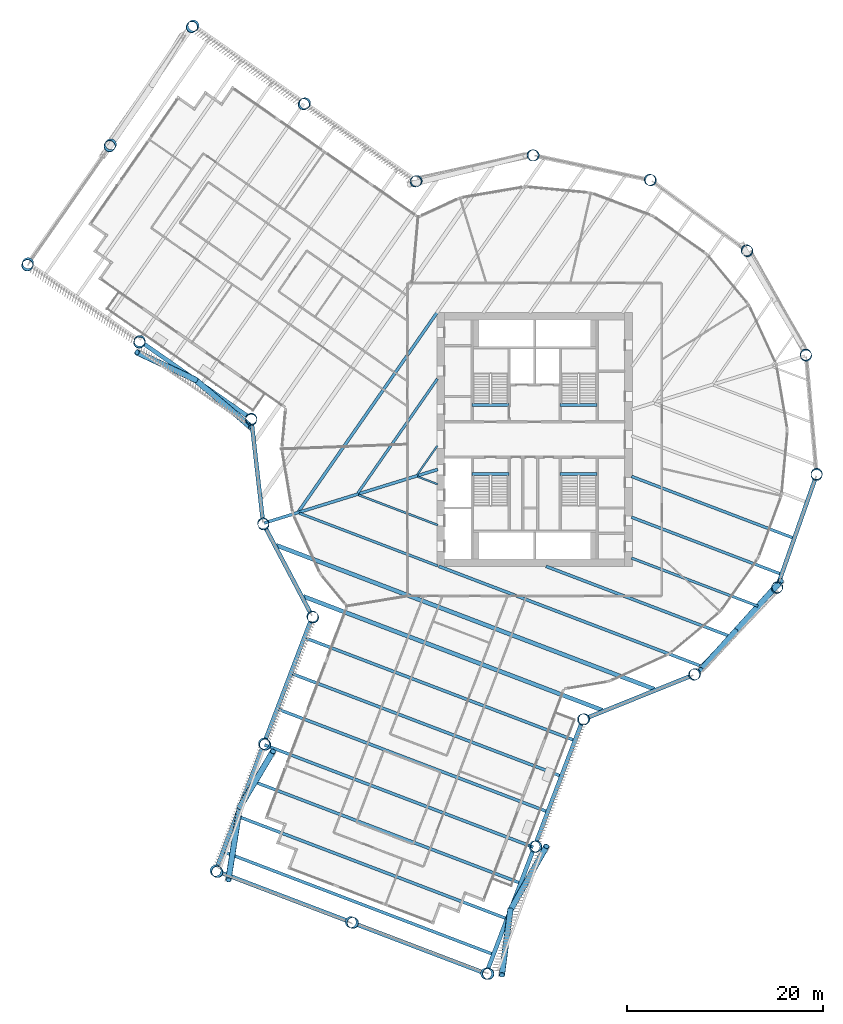
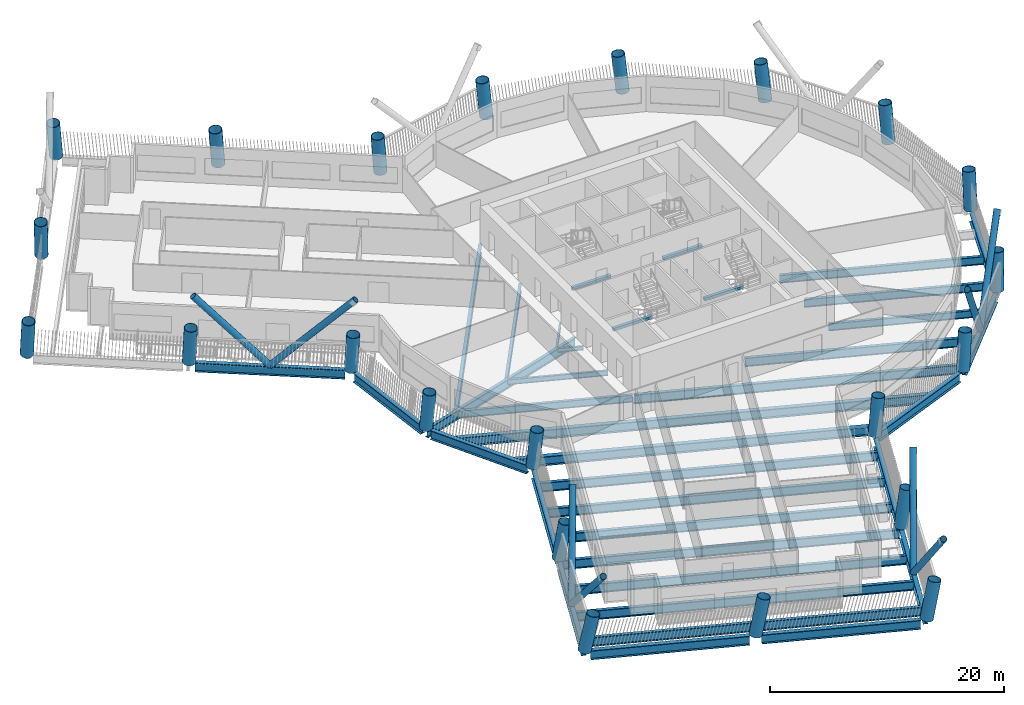
# One storey, part 1 of 23: 37 beams, 22 columns, 8 members.
"""IFC4 building model written with IfcOpenShell, lengths in metres."""

from ifc_helpers import new_model, si_unit, direction, frame, origin, origin_2d, place, context, subcontext, project, spatial, rectangle, hollow_circle, i_section, extrude, material, material_profile, profile_set, type_object, element, save


model = new_model("IFC4")

# Units and contexts
model_context = context("Model", 3, precision=1e-05, world=origin(), true_north=direction((0.0, 1.0)))
body_context = subcontext(model_context, "Body", "Model", "MODEL_VIEW")
ifc_project = project(units=[si_unit("LENGTHUNIT", "METRE"), si_unit("AREAUNIT", "SQUARE_METRE"), si_unit("VOLUMEUNIT", "CUBIC_METRE"), si_unit("PLANEANGLEUNIT", "RADIAN"), si_unit("MASSUNIT", "GRAM", prefix="KILO")], contexts=[model_context])

# Site, building, storey
site_placement = place(None, origin())
site = spatial("IfcSite", under=ifc_project, at=site_placement, CompositionType="ELEMENT")
building_placement = place(site_placement, origin())
building = spatial("IfcBuilding", under=site, at=building_placement, Name="Tarsis Ring Headquarters", CompositionType="ELEMENT")
storey_placement = place(building_placement, frame((0.0, 0.0, 131.800048828125)))
storey = spatial("IfcBuildingStorey", under=building, at=storey_placement, Name="L30", CompositionType="ELEMENT", Elevation=131.800048828125)

# Columns
ifc_material_1 = material(Name="Structural steel S355", Category="steel")
ifc_material_profile_1 = material_profile(ifc_material_1, hollow_circle(Radius=0.584228515625, WallThickness=0.044921875, at=origin_2d()), Name="CHS 1168x45")
ifc_profile_set_1 = profile_set([ifc_material_profile_1], Name="Structural steel S355")
column_type = type_object("IfcColumnType", Name="XC Exo column CHS 1168x45", PredefinedType="COLUMN", material=ifc_profile_set_1)
for number, where, z_axis, x_axis, name in (
    (1, (-27.75537109375, -8.570556640625, 0.000732421875), (0.03038851018, -0.096219882335, 0.994896111507), (0.953573318574, 0.301160963778, 0.0), "Exo column XC3 F1"),
    (2, (-22.72412109375, -18.094970703125, 0.000732421875), (0.063397809312, -0.078498468616, 0.994896330378), (0.777964432469, 0.628308317479, 0.0), "Exo column XC3 AK"),
):
    element("IfcColumn", number, at=place(storey_placement, frame(where, z_axis=z_axis, x_axis=x_axis)), inside=storey, type_object=column_type, Name=name, PredefinedType="COLUMN", context=body_context, shape_type="SweptSolid", body=[
        extrude(hollow_circle(Radius=0.584228515625, WallThickness=0.044921875, at=origin_2d()), origin(), (0.0, 0.0, 1.0), 3.91259765625),
    ])
column_1_placement = place(storey_placement, frame((-27.669921875, -31.087890625, 0.0009765625), z_axis=(0.10807248747, -0.094842924349, 0.989608587853), x_axis=(0.659604831056, 0.751612577627, 0.0)))
element("IfcColumn", 3, at=column_1_placement, inside=storey, type_object=column_type, Name="Exo column XC3 AI1", PredefinedType="COLUMN", context=body_context, shape_type="SweptSolid", body=[
    extrude(hollow_circle(Radius=0.584228515625, WallThickness=0.044921875, at=origin_2d()), origin(), (0.0, 0.0, 1.0), 3.9306640625),
])
column_2_placement = place(storey_placement, frame((-32.61572265625, -44.08056640625, 0.001220703125), z_axis=(0.151881207499, -0.110795551856, 0.982169254506), x_axis=(0.589341747673, 0.807883843414, 0.0)))
element("IfcColumn", 4, at=column_2_placement, inside=storey, type_object=column_type, Name="Exo column XC3 AT1", PredefinedType="COLUMN", context=body_context, shape_type="SweptSolid", body=[
    extrude(hollow_circle(Radius=0.584228515625, WallThickness=0.044921875, at=origin_2d()), origin(), (0.0, 0.0, 1.0), 3.95751953125),
])
column_3_placement = place(storey_placement, frame((-18.783935546875, -49.345703125, 0.001220703125), z_axis=(0.169844652412, -0.063367495773, 0.983431418314), x_axis=(0.349554810941, 0.936915916264, 0.0)))
element("IfcColumn", 5, at=column_3_placement, inside=storey, type_object=column_type, Name="Exo column XC3 AT2", PredefinedType="COLUMN", context=body_context, shape_type="SweptSolid", body=[
    extrude(hollow_circle(Radius=0.584228515625, WallThickness=0.044921875, at=origin_2d()), origin(), (0.0, 0.0, 1.0), 3.952880859375),
])
column_4_placement = place(storey_placement, frame((-4.9521484375, -54.61083984375, 0.001220703125), z_axis=(0.187352581769, -0.015730954347, 0.98216676139), x_axis=(0.083670018653, 0.996493516275, 0.0)))
element("IfcColumn", 6, at=column_4_placement, inside=storey, type_object=column_type, Name="Exo column XC3 AT3", PredefinedType="COLUMN", context=body_context, shape_type="SweptSolid", body=[
    extrude(hollow_circle(Radius=0.584228515625, WallThickness=0.044921875, at=origin_2d()), origin(), (0.0, 0.0, 1.0), 3.95751953125),
])
column_5_placement = place(storey_placement, frame((-0.00634765625, -41.6181640625, 0.0009765625), z_axis=(0.143786063277, 0.000931659157, 0.989608356886), x_axis=(-0.00647934563, 0.99997900882, 0.0)))
element("IfcColumn", 7, at=column_5_placement, inside=storey, type_object=column_type, Name="Exo column XC3 AO1", PredefinedType="COLUMN", context=body_context, shape_type="SweptSolid", body=[
    extrude(hollow_circle(Radius=0.584228515625, WallThickness=0.044921875, at=origin_2d()), origin(), (0.0, 0.0, 1.0), 3.9306640625),
])
for number, where, z_axis, x_axis, name in (
    (8, (4.939453125, -28.62548828125, 0.000732421875), (0.099277811899, 0.017846294282, 0.994899706425), (-0.176925295427, 0.9842242833, 0.0), "Exo column XC3 AJ"),
    (9, (16.299560546875, -24.044677734375, 0.000732421875), (0.083116274788, 0.057158038818, 0.994899313229), (-0.566633831912, 0.823969720641, 0.0), "Exo column XC3 R1"),
    (10, (24.761474609375, -15.1884765625, 0.000732421875), (0.052103731518, 0.086361154996, 0.994900473449), (-0.856234842803, 0.516586772934, 0.0), "Exo column XC3 R2"),
    (11, (28.820556640625, -3.6318359375, 0.000732421875), (0.011918342647, 0.100151518058, 0.994900812413), (-0.992993460669, 0.118169315257, 0.0), "Exo column XC3 R3"),
    (12, (27.75537109375, 8.570556640625, 0.000732421875), (-0.03038851018, 0.096219882335, 0.994896111507), (-0.953573318574, -0.301160963778, 0.0), "Exo column XC3 R4"),
    (13, (21.755126953125, 19.2490234375, 0.000732421875), (-0.067329098914, 0.075129040864, 0.994898195625), (-0.744707237786, -0.667391287019, 0.0), "Exo column XC3 R5"),
    (14, (11.88671875, 26.505126953125, 0.000732421875), (-0.092289383002, 0.040622304486, 0.994903260706), (-0.402863041625, -0.91526027429, 0.0), "Exo column XC3 R6"),
    (15, (-0.09521484375, 29.04833984375, 0.000732421875), (-0.100838070632, -0.000998396739, 0.994902350342), (0.00990050484, -0.999950988801, 0.0), "Exo column XC3 R7"),
    (16, (-12.06005859375, 26.4267578125, 0.000732421875), (-0.0914778866, -0.04249416151, 0.994900016334), (0.421293059677, -0.906924560186, 0.0), "Exo column XC3 BJ"),
):
    element("IfcColumn", number, at=place(storey_placement, frame(where, z_axis=z_axis, x_axis=x_axis)), inside=storey, type_object=column_type, Name=name, PredefinedType="COLUMN", context=body_context, shape_type="SweptSolid", body=[
        extrude(hollow_circle(Radius=0.584228515625, WallThickness=0.044921875, at=origin_2d()), origin(), (0.0, 0.0, 1.0), 3.91259765625),
    ])
column_6_placement = place(storey_placement, frame((-23.470458984375, 34.368896484375, 0.0009765625), z_axis=(-0.118134856248, -0.081924224706, 0.989612336799), x_axis=(0.569861317078, -0.821740883307, 0.0)))
element("IfcColumn", 17, at=column_6_placement, inside=storey, type_object=column_type, Name="Exo column XC3 BO1", PredefinedType="COLUMN", context=body_context, shape_type="SweptSolid", body=[
    extrude(hollow_circle(Radius=0.584228515625, WallThickness=0.044921875, at=origin_2d()), origin(), (0.0, 0.0, 1.0), 3.9306640625),
])
column_7_placement = place(storey_placement, frame((-34.880859375, 42.310791015625, 0.001220703125), z_axis=(-0.144232366987, -0.120543218603, 0.982174300602), x_axis=(0.641281296388, -0.767305870499, 0.0)))
element("IfcColumn", 18, at=column_7_placement, inside=storey, type_object=column_type, Name="Exo column XC3 BT3", PredefinedType="COLUMN", context=body_context, shape_type="SweptSolid", body=[
    extrude(hollow_circle(Radius=0.584228515625, WallThickness=0.044921875, at=origin_2d()), origin(), (0.0, 0.0, 1.0), 3.95751953125),
])
column_8_placement = place(storey_placement, frame((-43.335693359375, 30.163818359375, 0.001220703125), z_axis=(-0.102525029406, -0.149464199496, 0.983437375441), x_axis=(0.824638022463, -0.565660792268, 0.0)))
element("IfcColumn", 19, at=column_8_placement, inside=storey, type_object=column_type, Name="Exo column XC3 BT2", PredefinedType="COLUMN", context=body_context, shape_type="SweptSolid", body=[
    extrude(hollow_circle(Radius=0.584228515625, WallThickness=0.044921875, at=origin_2d()), origin(), (0.0, 0.0, 1.0), 3.952880859375),
])
column_9_placement = place(storey_placement, frame((-51.790771484375, 18.0166015625, 0.001220703125), z_axis=(-0.060579694145, -0.177975985344, 0.982168340611), x_axis=(0.946662684508, -0.322226258644, 0.0)))
element("IfcColumn", 20, at=column_9_placement, inside=storey, type_object=column_type, Name="Exo column XC3 BT1", PredefinedType="COLUMN", context=body_context, shape_type="SweptSolid", body=[
    extrude(hollow_circle(Radius=0.584228515625, WallThickness=0.044921875, at=origin_2d()), origin(), (0.0, 0.0, 1.0), 3.95751953125),
])
column_10_placement = place(storey_placement, frame((-40.38037109375, 10.074462890625, 0.0009765625), z_axis=(-0.033850571573, -0.139687954988, 0.989616801613), x_axis=(0.971871090164, -0.235513447817, 0.0)))
element("IfcColumn", 21, at=column_10_placement, inside=storey, type_object=column_type, Name="Exo column XC3 BI1", PredefinedType="COLUMN", context=body_context, shape_type="SweptSolid", body=[
    extrude(hollow_circle(Radius=0.584228515625, WallThickness=0.044921875, at=origin_2d()), origin(), (0.0, 0.0, 1.0), 3.9306640625),
])
column_11_placement = place(storey_placement, frame((-28.97021484375, 2.13232421875, 0.000732421875), z_axis=(-0.006676758615, -0.100650576138, 0.994899433319), x_axis=(0.997807001253, -0.06619054503, 0.0)))
element("IfcColumn", 22, at=column_11_placement, inside=storey, type_object=column_type, Name="Exo column XC3 BK", PredefinedType="COLUMN", context=body_context, shape_type="SweptSolid", body=[
    extrude(hollow_circle(Radius=0.584228515625, WallThickness=0.044921875, at=origin_2d()), origin(), (0.0, 0.0, 1.0), 3.91259765625),
])

# Beams
ifc_material_profile_2 = material_profile(ifc_material_1, i_section(OverallWidth=0.177734375, OverallDepth=0.406494140625, WebThickness=0.0078125, FlangeThickness=0.0126953125, at=origin_2d()), Name="W16x40")
ifc_profile_set_2 = profile_set([ifc_material_profile_2], Name="Structural steel S355")
beam_type_1 = type_object("IfcBeamType", Name="FB Floor beam W16x40", PredefinedType="JOIST", material=ifc_profile_set_2)
beam_1_placement = place(storey_placement, frame((-11.963623046875, -3.7919921875, -0.36328125), z_axis=(0.934594876678, -0.355713953181, 0.0), x_axis=(0.355713953181, 0.934594876678, 0.0)))
element("IfcBeam", 23, at=beam_1_placement, inside=storey, type_object=beam_type_1, Name="Floor beam FB1", PredefinedType="JOIST", context=body_context, shape_type="SweptSolid", body=[
    extrude(i_section(OverallWidth=0.177734375, OverallDepth=0.406494140625, WebThickness=0.0078125, FlangeThickness=0.0126953125, at=origin_2d()), origin(), (0.0, 0.0, 1.0), 2.201171875),
])
beam_2_placement = place(storey_placement, frame((-9.94287109375, -0.63134765625, -0.36328125), z_axis=(-0.571273152596, -0.820760004583, 0.0), x_axis=(0.820760004583, -0.571273152596, 0.0)))
element("IfcBeam", 24, at=beam_2_placement, inside=storey, type_object=beam_type_1, Name="Floor beam FB1", PredefinedType="JOIST", context=body_context, shape_type="SweptSolid", body=[
    extrude(i_section(OverallWidth=0.177734375, OverallDepth=0.406494140625, WebThickness=0.0078125, FlangeThickness=0.0126953125, at=origin_2d()), origin(), (0.0, 0.0, 1.0), 3.633544921875),
])
ifc_material_profile_3 = material_profile(ifc_material_1, i_section(OverallWidth=0.209228515625, OverallDepth=0.533447265625, WebThickness=0.01025390625, FlangeThickness=0.015625, at=origin_2d()), Name="W21x62")
ifc_profile_set_3 = profile_set([ifc_material_profile_3], Name="Structural steel S355")
beam_type_2 = type_object("IfcBeamType", Name="FB Floor beam W21x62", PredefinedType="JOIST", material=ifc_profile_set_3)
beam_3_placement = place(storey_placement, frame((-18.01611328125, -5.660888671875, -0.4267578125), z_axis=(0.93457283862, -0.355771850087, 0.0), x_axis=(0.355771850087, 0.93457283862, 0.0)))
element("IfcBeam", 25, at=beam_3_placement, inside=storey, type_object=beam_type_2, Name="Floor beam FB3", PredefinedType="JOIST", context=body_context, shape_type="SweptSolid", body=[
    extrude(i_section(OverallWidth=0.209228515625, OverallDepth=0.533447265625, WebThickness=0.01025390625, FlangeThickness=0.015625, at=origin_2d()), origin(), (0.0, 0.0, 1.0), 8.67724609375),
])
ifc_material_profile_4 = material_profile(ifc_material_1, i_section(OverallWidth=0.2666015625, OverallDepth=0.7568359375, WebThickness=0.013916015625, FlangeThickness=0.019287109375, at=origin_2d()), Name="W30x108")
ifc_profile_set_4 = profile_set([ifc_material_profile_4], Name="Structural steel S355")
beam_type_3 = type_object("IfcBeamType", Name="FB Floor beam W30x108", PredefinedType="JOIST", material=ifc_profile_set_4)
beam_4_placement = place(storey_placement, frame((9.906494140625, -12.1171875, -0.53857421875), z_axis=(0.9345836358, -0.355743485808, 0.0), x_axis=(0.355743485808, 0.9345836358, 0.0)))
element("IfcBeam", 26, at=beam_4_placement, inside=storey, type_object=beam_type_3, Name="Floor beam FB6", PredefinedType="JOIST", context=body_context, shape_type="SweptSolid", body=[
    extrude(i_section(OverallWidth=0.2666015625, OverallDepth=0.7568359375, WebThickness=0.013916015625, FlangeThickness=0.019287109375, at=origin_2d()), origin(), (0.0, 0.0, 1.0), 13.827880859375),
])
beam_5_placement = place(storey_placement, frame((-24.06884765625, -7.52978515625, -0.53857421875), z_axis=(0.934577033257, -0.35576083105, 0.0), x_axis=(0.35576083105, 0.934577033257, 0.0)))
element("IfcBeam", 27, at=beam_5_placement, inside=storey, type_object=beam_type_3, Name="Floor beam FB6", PredefinedType="JOIST", context=body_context, shape_type="SweptSolid", body=[
    extrude(i_section(OverallWidth=0.2666015625, OverallDepth=0.7568359375, WebThickness=0.013916015625, FlangeThickness=0.019287109375, at=origin_2d()), origin(), (0.0, 0.0, 1.0), 15.15380859375),
])
beam_6_placement = place(storey_placement, frame((-9.94287109375, 6.195556640625, -0.53857421875), z_axis=(-0.571282657088, -0.820753389094, 0.0), x_axis=(0.820753389094, -0.571282657088, 0.0)))
element("IfcBeam", 28, at=beam_6_placement, inside=storey, type_object=beam_type_3, Name="Floor beam FB6", PredefinedType="JOIST", context=body_context, shape_type="SweptSolid", body=[
    extrude(i_section(OverallWidth=0.2666015625, OverallDepth=0.7568359375, WebThickness=0.013916015625, FlangeThickness=0.019287109375, at=origin_2d()), origin(), (0.0, 0.0, 1.0), 14.228271484375),
])
ifc_material_profile_5 = material_profile(ifc_material_1, i_section(OverallWidth=0.2919921875, OverallDepth=0.835693359375, WebThickness=0.013916015625, FlangeThickness=0.018798828125, at=origin_2d()), Name="W33x118")
ifc_profile_set_5 = profile_set([ifc_material_profile_5], Name="Structural steel S355")
beam_type_4 = type_object("IfcBeamType", Name="FB Floor beam W33x118", PredefinedType="JOIST", material=ifc_profile_set_5)
beam_7_placement = place(storey_placement, frame((9.906494140625, -3.77099609375, -0.577880859375), z_axis=(0.934577329051, -0.355760054003, 0.0), x_axis=(0.355760054003, 0.934577329051, 0.0)))
element("IfcBeam", 29, at=beam_7_placement, inside=storey, type_object=beam_type_4, Name="Floor beam FB7", PredefinedType="JOIST", context=body_context, shape_type="SweptSolid", body=[
    extrude(i_section(OverallWidth=0.2919921875, OverallDepth=0.835693359375, WebThickness=0.013916015625, FlangeThickness=0.018798828125, at=origin_2d()), origin(), (0.0, 0.0, 1.0), 17.69287109375),
])
beam_8_placement = place(storey_placement, frame((9.906494140625, -7.944091796875, -0.577880859375), z_axis=(0.93457923771, -0.355755039937, 0.0), x_axis=(0.355755039937, 0.93457923771, 0.0)))
element("IfcBeam", 30, at=beam_8_placement, inside=storey, type_object=beam_type_4, Name="Floor beam FB7", PredefinedType="JOIST", context=body_context, shape_type="SweptSolid", body=[
    extrude(i_section(OverallWidth=0.2919921875, OverallDepth=0.835693359375, WebThickness=0.013916015625, FlangeThickness=0.018798828125, at=origin_2d()), origin(), (0.0, 0.0, 1.0), 16.3095703125),
])
ifc_material_profile_6 = material_profile(ifc_material_1, i_section(OverallWidth=0.3046875, OverallDepth=0.904296875, WebThickness=0.01513671875, FlangeThickness=0.02001953125, at=origin_2d()), Name="W36x135")
ifc_profile_set_6 = profile_set([ifc_material_profile_6], Name="Structural steel S355")
beam_type_5 = type_object("IfcBeamType", Name="FB Floor beam W36x135", PredefinedType="JOIST", material=ifc_profile_set_6)
beam_9_placement = place(storey_placement, frame((1.170166015625, -12.96435546875, -0.612060546875), z_axis=(0.934577028161, -0.355760844436, 0.0), x_axis=(0.355760844436, 0.934577028161, 0.0)))
element("IfcBeam", 31, at=beam_9_placement, inside=storey, type_object=beam_type_5, Name="Floor beam FB8", PredefinedType="JOIST", context=body_context, shape_type="SweptSolid", body=[
    extrude(i_section(OverallWidth=0.3046875, OverallDepth=0.904296875, WebThickness=0.01513671875, FlangeThickness=0.02001953125, at=origin_2d()), origin(), (0.0, 0.0, 1.0), 20.04736328125),
])
ifc_material_profile_7 = material_profile(ifc_material_1, i_section(OverallWidth=0.309814453125, OverallDepth=0.93212890625, WebThickness=0.02099609375, FlangeThickness=0.034423828125, at=origin_2d()), Name="W36x210")
ifc_profile_set_7 = profile_set([ifc_material_profile_7], Name="Structural steel S355")
beam_type_6 = type_object("IfcBeamType", Name="FB Floor beam W36x210", PredefinedType="JOIST", material=ifc_profile_set_7)
beam_10_placement = place(storey_placement, frame((-9.94287109375, 13.022216796875, -0.626220703125), z_axis=(-0.57128865983, -0.820749210874, 0.0), x_axis=(0.820749210874, -0.57128865983, 0.0)))
element("IfcBeam", 32, at=beam_10_placement, inside=storey, type_object=beam_type_6, Name="Floor beam FB10", PredefinedType="JOIST", context=body_context, shape_type="SweptSolid", body=[
    extrude(i_section(OverallWidth=0.309814453125, OverallDepth=0.93212890625, WebThickness=0.02099609375, FlangeThickness=0.034423828125, at=origin_2d()), origin(), (0.0, 0.0, 1.0), 24.822998046875),
])
ifc_material_profile_8 = material_profile(ifc_material_1, i_section(OverallWidth=0.309814453125, OverallDepth=0.949951171875, WebThickness=0.0244140625, FlangeThickness=0.0439453125, at=origin_2d()), Name="W36x256")
ifc_profile_set_8 = profile_set([ifc_material_profile_8], Name="Structural steel S355")
beam_type_7 = type_object("IfcBeamType", Name="FB Floor beam W36x256", PredefinedType="JOIST", material=ifc_profile_set_8)
beam_11_placement = place(storey_placement, frame((-9.79248046875, -12.96435546875, -0.635009765625), z_axis=(0.934577479444, -0.355759658922, 0.0), x_axis=(0.355759658922, 0.934577479444, 0.0)))
element("IfcBeam", 33, at=beam_11_placement, inside=storey, type_object=beam_type_7, Name="Floor beam FB11", PredefinedType="JOIST", context=body_context, shape_type="SweptSolid", body=[
    extrude(i_section(OverallWidth=0.309814453125, OverallDepth=0.949951171875, WebThickness=0.0244140625, FlangeThickness=0.0439453125, at=origin_2d()), origin(), (0.0, 0.0, 1.0), 28.64892578125),
])
for number, where, z_axis, x_axis, name in (
    (34, (-23.439208984375, -20.28857421875, -0.635009765625), (0.934577496653, -0.355759613714, 0.0), (0.355759613714, 0.934577496653, 0.0), "Floor beam FB11"),
    (35, (-24.82666015625, -23.933349609375, -0.635009765625), (0.934574733359, -0.355766872779, 0.0), (0.355766872779, 0.934574733359, 0.0), "Floor beam FB11"),
    (36, (-26.214111328125, -27.578369140625, -0.635009765625), (0.934577496653, -0.355759613714, 0.0), (0.355759613714, 0.934577496653, 0.0), "Floor beam FB11"),
    (37, (-27.6015625, -31.22314453125, -0.635009765625), (0.934577496653, -0.355759613714, 0.0), (0.355759613714, 0.934577496653, 0.0), "Floor beam FB11"),
    (38, (-28.989013671875, -34.867919921875, -0.635009765625), (0.934574733359, -0.355766872779, 0.0), (0.355766872779, 0.934574733359, 0.0), "Floor beam FB11"),
    (39, (-30.37646484375, -38.512939453125, -0.635009765625), (0.934577496653, -0.355759613714, 0.0), (0.355759613714, 0.934577496653, 0.0), "Floor beam FB11"),
    (40, (-31.763916015625, -42.15771484375, -0.635009765625), (0.934577496653, -0.355759613714, 0.0), (0.355759613714, 0.934577496653, 0.0), "Floor beam FB11"),
):
    element("IfcBeam", number, at=place(storey_placement, frame(where, z_axis=z_axis, x_axis=x_axis)), inside=storey, type_object=beam_type_7, Name=name, PredefinedType="JOIST", context=body_context, shape_type="SweptSolid", body=[
        extrude(i_section(OverallWidth=0.309814453125, OverallDepth=0.949951171875, WebThickness=0.0244140625, FlangeThickness=0.0439453125, at=origin_2d()), origin(), (0.0, 0.0, 1.0), 29.375732421875),
    ])
beam_type_8 = type_object("IfcBeamType", Name="FB Floor beam W36x256 spine", PredefinedType="BEAM", material=ifc_profile_set_8)
beam_12_placement = place(storey_placement, frame((-9.904541015625, -3.058349609375, -0.635009765625), z_axis=(-0.95548341372, -0.295044820503, 0.0), x_axis=(0.295044820503, -0.95548341372, 0.0)))
element("IfcBeam", 41, at=beam_12_placement, inside=storey, type_object=beam_type_8, Name="Floor beam SB11", PredefinedType="BEAM", context=body_context, shape_type="SweptSolid", body=[
    extrude(i_section(OverallWidth=0.309814453125, OverallDepth=0.949951171875, WebThickness=0.0244140625, FlangeThickness=0.0439453125, at=origin_2d()), origin(), (0.0, 0.0, 1.0), 18.566650390625),
])
ifc_material_profile_9 = material_profile(ifc_material_1, i_section(OverallWidth=0.42431640625, OverallDepth=0.947509765625, WebThickness=0.02392578125, FlangeThickness=0.042724609375, at=origin_2d()), Name="W36x302")
ifc_profile_set_9 = profile_set([ifc_material_profile_9], Name="Structural steel S355")
beam_type_9 = type_object("IfcBeamType", Name="FB Floor beam W36x302", PredefinedType="JOIST", material=ifc_profile_set_9)
beam_13_placement = place(storey_placement, frame((-26.4052734375, -10.8134765625, -0.6337890625), z_axis=(0.934577583776, -0.355759384844, 0.0), x_axis=(0.355759384844, 0.934577583776, 0.0)))
element("IfcBeam", 42, at=beam_13_placement, inside=storey, type_object=beam_type_9, Name="Floor beam FB12", PredefinedType="JOIST", context=body_context, shape_type="SweptSolid", body=[
    extrude(i_section(OverallWidth=0.42431640625, OverallDepth=0.947509765625, WebThickness=0.02392578125, FlangeThickness=0.042724609375, at=origin_2d()), origin(), (0.0, 0.0, 1.0), 41.352783203125),
])
beam_14_placement = place(storey_placement, frame((-23.646240234375, -16.036865234375, -0.6337890625), z_axis=(0.934577935064, -0.35575846201, 0.0), x_axis=(0.35575846201, 0.934577935064, 0.0)))
element("IfcBeam", 43, at=beam_14_placement, inside=storey, type_object=beam_type_9, Name="Floor beam FB12", PredefinedType="JOIST", context=body_context, shape_type="SweptSolid", body=[
    extrude(i_section(OverallWidth=0.42431640625, OverallDepth=0.947509765625, WebThickness=0.02392578125, FlangeThickness=0.042724609375, at=origin_2d()), origin(), (0.0, 0.0, 1.0), 32.704833984375),
])
ifc_material_2 = material(Name="Concrete C40/50", Category="concrete")
ifc_material_profile_10 = material_profile(ifc_material_2, rectangle(XDim=0.300048828125, YDim=0.300048828125, at=origin_2d()), Name="Stair head beam 300x300 C40/50")
ifc_profile_set_10 = profile_set([ifc_material_profile_10], Name="Concrete C40/50")
beam_type_10 = type_object("IfcBeamType", Name="Stair head beam 300x300 C40/50", PredefinedType="BEAM", material=ifc_profile_set_10)
for number, where, z_axis, x_axis, name in (
    (44, (-6.39990234375, 3.510009765625, -0.31005859375), (1.0, 0.0, 0.0), (0.0, 1.0, 0.0), "Stair head beam L30 Firefighting stair"),
    (45, (2.60009765625, 3.510009765625, -0.31005859375), (1.0, 0.0, 0.0), (0.0, 1.0, 0.0), "Stair head beam L30 Exit stair B"),
    (46, (-6.39990234375, -3.510009765625, -0.31005859375), (1.0, 0.0, 0.0), (0.0, 1.0, 0.0), "Stair head beam L30 Exit stair C"),
    (47, (2.60009765625, -3.510009765625, -0.31005859375), (1.0, 0.0, 0.0), (0.0, 1.0, 0.0), "Stair head beam L30 Exit stair D"),
):
    element("IfcBeam", number, at=place(storey_placement, frame(where, z_axis=z_axis, x_axis=x_axis)), inside=storey, type_object=beam_type_10, Name=name, PredefinedType="BEAM", context=body_context, shape_type="SweptSolid", body=[
        extrude(rectangle(XDim=0.300048828125, YDim=0.300048828125, at=origin_2d()), origin(), (0.0, 0.0, 1.0), 3.7998046875),
    ])

# Members
ifc_material_profile_11 = material_profile(ifc_material_1, hollow_circle(Radius=0.3046875, WallThickness=0.02490234375, at=origin_2d()), Name="CHS 610x25")
ifc_profile_set_11 = profile_set([ifc_material_profile_11], Name="Structural steel S355")
member_type = type_object("IfcMemberType", Name="XD X brace CHS 610x25", PredefinedType="BRACE", material=ifc_profile_set_11)
member_1_placement = place(storey_placement, frame((-30.142822265625, -37.583984375, 0.0), z_axis=(-0.107652637347, -0.685899802172, 0.719689079431), x_axis=(0.987906179649, -0.15505283039, 0.0)))
element("IfcMember", 48, at=member_1_placement, inside=storey, type_object=member_type, Name="X brace XD1", PredefinedType="BRACE", context=body_context, shape_type="SweptSolid", body=[
    extrude(hollow_circle(Radius=0.3046875, WallThickness=0.02490234375, at=origin_2d()), origin(), (0.0, 0.0, 1.0), 10.838134765625),
])
member_2_placement = place(storey_placement, frame((-30.142822265625, -37.583984375, 0.0), z_axis=(0.331679338589, 0.556518398534, 0.761758549966), x_axis=(-0.859008914741, 0.511960627778, 0.0)))
element("IfcMember", 49, at=member_2_placement, inside=storey, type_object=member_type, Name="X brace XD1", PredefinedType="BRACE", context=body_context, shape_type="SweptSolid", body=[
    extrude(hollow_circle(Radius=0.3046875, WallThickness=0.02490234375, at=origin_2d()), origin(), (0.0, 0.0, 1.0), 10.239501953125),
])
member_3_placement = place(storey_placement, frame((-2.4794921875, -48.114501953125, 0.0), z_axis=(0.341558610942, 0.602441019273, 0.721389307925), x_axis=(-0.86991354794, 0.493204236711, 0.0)))
element("IfcMember", 50, at=member_3_placement, inside=storey, type_object=member_type, Name="X brace XD1", PredefinedType="BRACE", context=body_context, shape_type="SweptSolid", body=[
    extrude(hollow_circle(Radius=0.3046875, WallThickness=0.02490234375, at=origin_2d()), origin(), (0.0, 0.0, 1.0), 10.8125),
])
member_4_placement = place(storey_placement, frame((-2.4794921875, -48.114501953125, 0.0), z_axis=(-0.084707060728, -0.644648793437, 0.759771443911), x_axis=(0.991477186366, -0.130280424149, 0.0)))
element("IfcMember", 51, at=member_4_placement, inside=storey, type_object=member_type, Name="X brace XD1", PredefinedType="BRACE", context=body_context, shape_type="SweptSolid", body=[
    extrude(hollow_circle(Radius=0.3046875, WallThickness=0.02490234375, at=origin_2d()), origin(), (0.0, 0.0, 1.0), 10.266357421875),
])
member_5_placement = place(storey_placement, frame((20.5302734375, -19.61669921875, 0.0), z_axis=(0.446403688196, 0.493751303494, 0.746279704577), x_axis=(-0.741777656653, 0.670645888745, 0.0)))
element("IfcMember", 52, at=member_5_placement, inside=storey, type_object=member_type, Name="X brace XD1", PredefinedType="BRACE", context=body_context, shape_type="SweptSolid", body=[
    extrude(hollow_circle(Radius=0.3046875, WallThickness=0.02490234375, at=origin_2d()), origin(), (0.0, 0.0, 1.0), 10.451904296875),
])
member_6_placement = place(storey_placement, frame((20.5302734375, -19.61669921875, 0.0), z_axis=(-0.374822016389, -0.417974077705, 0.827530136246), x_axis=(0.744492735413, -0.667630561701, 0.0)))
element("IfcMember", 53, at=member_6_placement, inside=storey, type_object=member_type, Name="X brace XD1", PredefinedType="BRACE", context=body_context, shape_type="SweptSolid", body=[
    extrude(hollow_circle(Radius=0.3046875, WallThickness=0.02490234375, at=origin_2d()), origin(), (0.0, 0.0, 1.0), 9.42578125),
])
member_7_placement = place(storey_placement, frame((-34.67529296875, 6.103515625, 0.0), z_axis=(0.524909365793, -0.447520189771, 0.724013699767), x_axis=(0.648781585381, 0.760974674001, 0.0)))
element("IfcMember", 54, at=member_7_placement, inside=storey, type_object=member_type, Name="X brace XD1", PredefinedType="BRACE", context=body_context, shape_type="SweptSolid", body=[
    extrude(hollow_circle(Radius=0.3046875, WallThickness=0.02490234375, at=origin_2d()), origin(), (0.0, 0.0, 1.0), 10.7734375),
])
member_8_placement = place(storey_placement, frame((-34.67529296875, 6.103515625, 0.0), z_axis=(-0.592563171181, 0.278804845003, 0.755735897363), x_axis=(-0.425736512864, -0.90484718136, 0.0)))
element("IfcMember", 55, at=member_8_placement, inside=storey, type_object=member_type, Name="X brace XD1", PredefinedType="BRACE", context=body_context, shape_type="SweptSolid", body=[
    extrude(hollow_circle(Radius=0.3046875, WallThickness=0.02490234375, at=origin_2d()), origin(), (0.0, 0.0, 1.0), 10.0859375),
])

# Beams
beam_type_11 = type_object("IfcBeamType", Name="XG Ring girder W36x302", PredefinedType="BEAM", material=ifc_profile_set_9)
beam_15_placement = place(storey_placement, frame((-27.509765625, -9.035400390625, -0.4736328125), z_axis=(0.467075090718, -0.884217653992, 0.0), x_axis=(0.884217653992, 0.467075090718, 0.0)))
element("IfcBeam", 56, at=beam_15_placement, inside=storey, type_object=beam_type_11, Name="Ring girder XG1", PredefinedType="BEAM", context=body_context, shape_type="SweptSolid", body=[
    extrude(i_section(OverallWidth=0.42431640625, OverallDepth=0.947509765625, WebThickness=0.02392578125, FlangeThickness=0.042724609375, at=origin_2d()), origin(), (0.0, 0.0, 1.0), 9.72021484375),
])
for number, where, z_axis, x_axis, name in (
    (57, (-22.9111328125, -18.58642578125, -0.4736328125), (-0.355759889363, -0.934577391724, 0.0), (0.934577391724, -0.355759889363, 0.0), "Ring girder XG1"),
    (58, (-27.85693359375, -31.5791015625, -0.4736328125), (-0.355759889363, -0.934577391724, 0.0), (0.934577391724, -0.355759889363, 0.0), "Ring girder XG1"),
):
    element("IfcBeam", number, at=place(storey_placement, frame(where, z_axis=z_axis, x_axis=x_axis)), inside=storey, type_object=beam_type_11, Name=name, PredefinedType="BEAM", context=body_context, shape_type="SweptSolid", body=[
        extrude(i_section(OverallWidth=0.42431640625, OverallDepth=0.947509765625, WebThickness=0.02392578125, FlangeThickness=0.042724609375, at=origin_2d()), origin(), (0.0, 0.0, 1.0), 12.850830078125),
    ])
beam_16_placement = place(storey_placement, frame((-32.12451171875, -44.267578125, -0.4736328125), z_axis=(0.934579410196, -0.355754586811, 0.0), x_axis=(0.355754586811, 0.934579410196, 0.0)))
element("IfcBeam", 59, at=beam_16_placement, inside=storey, type_object=beam_type_11, Name="Ring girder XG1", PredefinedType="BEAM", context=body_context, shape_type="SweptSolid", body=[
    extrude(i_section(OverallWidth=0.42431640625, OverallDepth=0.947509765625, WebThickness=0.02392578125, FlangeThickness=0.042724609375, at=origin_2d()), origin(), (0.0, 0.0, 1.0), 13.74853515625),
])
beam_17_placement = place(storey_placement, frame((-18.292724609375, -49.53271484375, -0.4736328125), z_axis=(0.934577162722, -0.355760490946, 0.0), x_axis=(0.355760490946, 0.934577162722, 0.0)))
element("IfcBeam", 60, at=beam_17_placement, inside=storey, type_object=beam_type_11, Name="Ring girder XG1", PredefinedType="BEAM", context=body_context, shape_type="SweptSolid", body=[
    extrude(i_section(OverallWidth=0.42431640625, OverallDepth=0.947509765625, WebThickness=0.02392578125, FlangeThickness=0.042724609375, at=origin_2d()), origin(), (0.0, 0.0, 1.0), 13.748291015625),
])
beam_18_placement = place(storey_placement, frame((-4.765380859375, -54.11962890625, -0.4736328125), z_axis=(0.355759889363, 0.934577391724, 0.0), x_axis=(-0.934577391724, 0.355759889363, 0.0)))
element("IfcBeam", 61, at=beam_18_placement, inside=storey, type_object=beam_type_11, Name="Ring girder XG1", PredefinedType="BEAM", context=body_context, shape_type="SweptSolid", body=[
    extrude(i_section(OverallWidth=0.42431640625, OverallDepth=0.947509765625, WebThickness=0.02392578125, FlangeThickness=0.042724609375, at=origin_2d()), origin(), (0.0, 0.0, 1.0), 12.850830078125),
])
beam_19_placement = place(storey_placement, frame((0.1806640625, -41.126953125, -0.4736328125), z_axis=(0.355743295522, 0.934583708231, 0.0), x_axis=(-0.934583708231, 0.355743295522, 0.0)))
element("IfcBeam", 62, at=beam_19_placement, inside=storey, type_object=beam_type_11, Name="Ring girder XG1", PredefinedType="BEAM", context=body_context, shape_type="SweptSolid", body=[
    extrude(i_section(OverallWidth=0.42431640625, OverallDepth=0.947509765625, WebThickness=0.02392578125, FlangeThickness=0.042724609375, at=origin_2d()), origin(), (0.0, 0.0, 1.0), 12.8505859375),
])
for number, where, z_axis, x_axis, name in (
    (63, (5.427001953125, -28.428955078125, -0.4736328125), (0.927430982209, 0.373994349206, 0.0), (-0.373994349206, 0.927430982209, 0.0), "Ring girder XG1"),
    (64, (16.66259765625, -23.66455078125, -0.4736328125), (0.690843841718, 0.723004001621, 0.0), (-0.723004001621, 0.690843841718, 0.0), "Ring girder XG1"),
):
    element("IfcBeam", number, at=place(storey_placement, frame(where, z_axis=z_axis, x_axis=x_axis)), inside=storey, type_object=beam_type_11, Name=name, PredefinedType="BEAM", context=body_context, shape_type="SweptSolid", body=[
        extrude(i_section(OverallWidth=0.42431640625, OverallDepth=0.947509765625, WebThickness=0.02392578125, FlangeThickness=0.042724609375, at=origin_2d()), origin(), (0.0, 0.0, 1.0), 11.197265625),
    ])
beam_20_placement = place(storey_placement, frame((24.935546875, -14.692626953125, -0.4736328125), z_axis=(0.331388431248, 0.943494413145, 0.0), x_axis=(-0.943494413145, 0.331388431248, 0.0)))
element("IfcBeam", 65, at=beam_20_placement, inside=storey, type_object=beam_type_11, Name="Ring girder XG1", PredefinedType="BEAM", context=body_context, shape_type="SweptSolid", body=[
    extrude(i_section(OverallWidth=0.42431640625, OverallDepth=0.947509765625, WebThickness=0.02392578125, FlangeThickness=0.042724609375, at=origin_2d()), origin(), (0.0, 0.0, 1.0), 11.197509765625),
])
beam_21_placement = place(storey_placement, frame((-39.948974609375, 9.7744140625, -0.4736328125), z_axis=(0.820749896388, -0.571287674975, 0.0), x_axis=(0.571287674975, 0.820749896388, 0.0)))
element("IfcBeam", 66, at=beam_21_placement, inside=storey, type_object=beam_type_11, Name="Ring girder XG1", PredefinedType="BEAM", context=body_context, shape_type="SweptSolid", body=[
    extrude(i_section(OverallWidth=0.42431640625, OverallDepth=0.947509765625, WebThickness=0.02392578125, FlangeThickness=0.042724609375, at=origin_2d()), origin(), (0.0, 0.0, 1.0), 12.850830078125),
])
beam_22_placement = place(storey_placement, frame((-28.910888671875, 1.610107421875, -0.4736328125), z_axis=(0.112774432837, -0.993620615375, 0.0), x_axis=(0.993620615375, 0.112774432837, 0.0)))
element("IfcBeam", 67, at=beam_22_placement, inside=storey, type_object=beam_type_11, Name="Ring girder XG1", PredefinedType="BEAM", context=body_context, shape_type="SweptSolid", body=[
    extrude(i_section(OverallWidth=0.42431640625, OverallDepth=0.947509765625, WebThickness=0.02392578125, FlangeThickness=0.042724609375, at=origin_2d()), origin(), (0.0, 0.0, 1.0), 9.72021484375),
])

save(model, "model.ifc")
